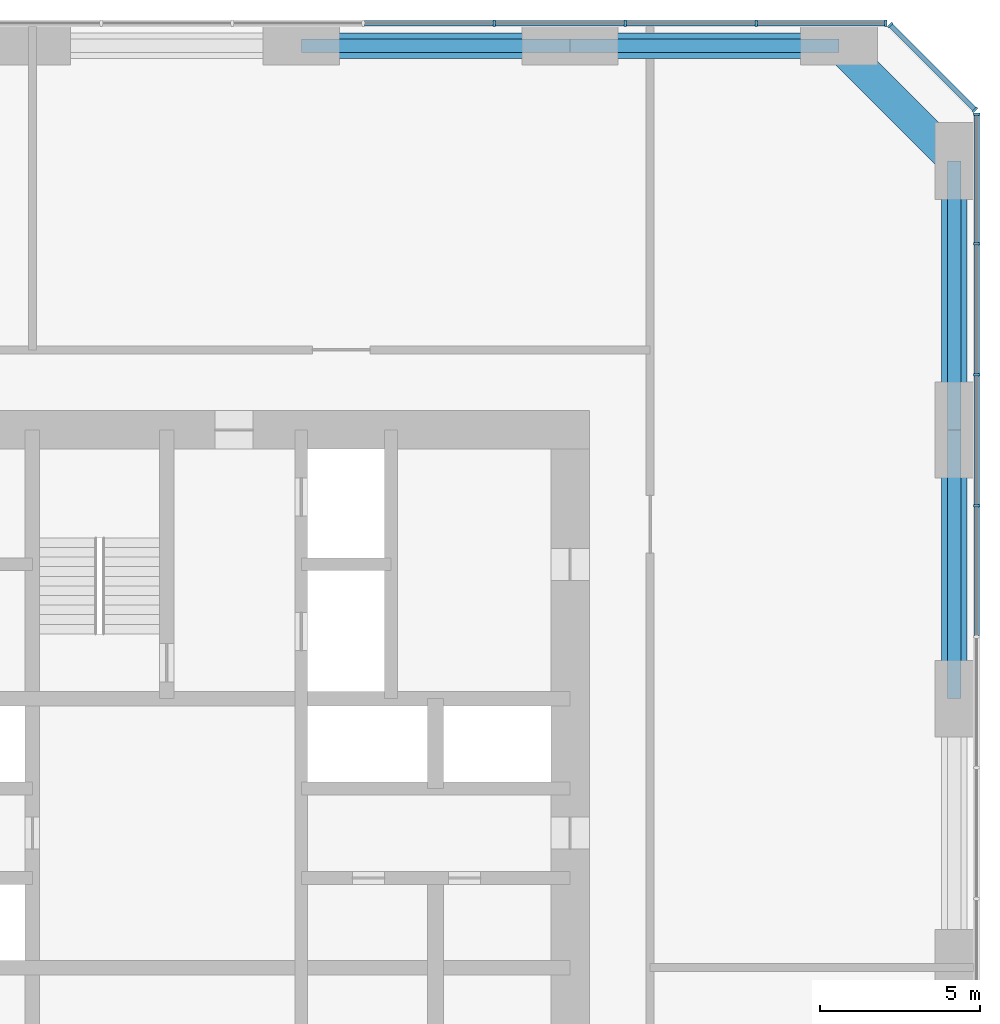
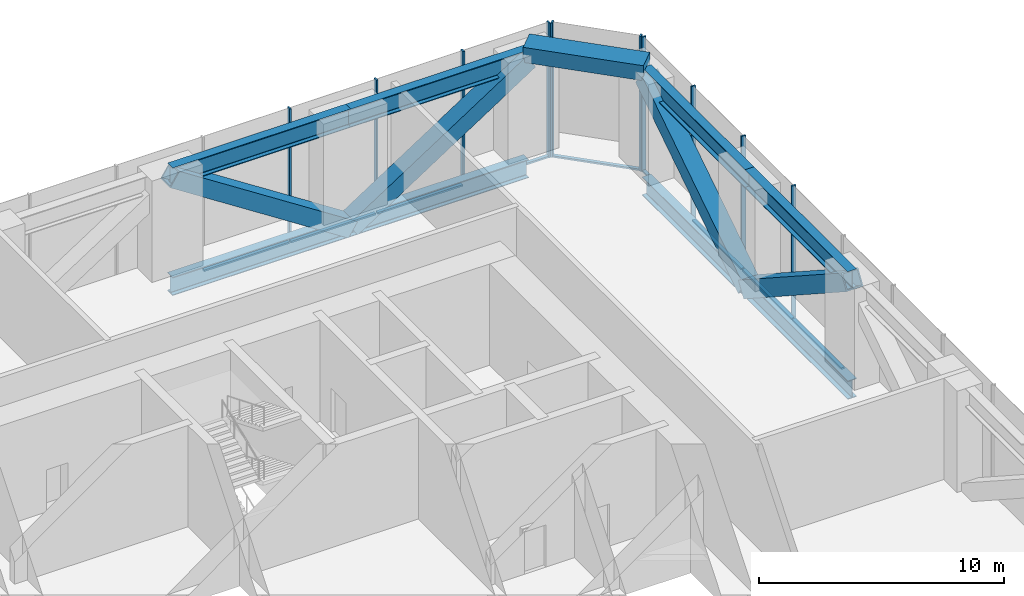
# One storey, part 6 of 10: 31 members, 1 beam, 3 elements without a shape of their own.
"""IFC4 building model written with IfcOpenShell, lengths in metres."""

from ifc_helpers import new_model, si_unit, direction, frame, origin, origin_2d, place, context, subcontext, project, spatial, rectangle, hollow_rectangle, i_section, extrude, material, material_profile, profile_set, type_object, element, aggregate, save


model = new_model("IFC4")

# Units and contexts
model_context = context("Model", 3, precision=1e-05, world=origin(), true_north=direction((0.0, 1.0)))
body_context = subcontext(model_context, "Body", "Model", "MODEL_VIEW")
ifc_project = project(units=[si_unit("LENGTHUNIT", "METRE"), si_unit("AREAUNIT", "SQUARE_METRE"), si_unit("VOLUMEUNIT", "CUBIC_METRE"), si_unit("PLANEANGLEUNIT", "RADIAN"), si_unit("MASSUNIT", "GRAM", prefix="KILO")], contexts=[model_context])

# Site, building, storey
site_placement = place(None, origin())
site = spatial("IfcSite", under=ifc_project, at=site_placement, CompositionType="ELEMENT")
building_placement = place(site_placement, origin())
building = spatial("IfcBuilding", under=site, at=building_placement, Name="Dunama Terrace Hotel", CompositionType="ELEMENT")
storey_placement = place(building_placement, frame((0.0, 0.0, 220.199951171875)))
storey = spatial("IfcBuildingStorey", under=building, at=storey_placement, Name="L57", CompositionType="ELEMENT", Elevation=220.199951171875)

# Members
ifc_material_1 = material(Name="Steel S355", Category="steel")
ifc_material_profile_1 = material_profile(ifc_material_1, hollow_rectangle(XDim=0.800048828125, YDim=0.800048828125, WallThickness=0.06005859375, at=origin_2d()), Name="BOX 800x800x60")
ifc_profile_set_1 = profile_set([ifc_material_profile_1], Name="Steel S355")
member_type_1 = type_object("IfcMemberType", Name="Brace BOX 800x800x60", PredefinedType="BRACE", material=ifc_profile_set_1)
for number, where, z_axis, x_axis, name in (
    (1, (54.0, 42.0, -0.8603515625), (0.0, -0.83889900313, 0.544287114075), (1.0, 0.0, 0.0), "Belt truss diagonal L57"),
    (2, (54.0, 42.0, -0.8603515625), (0.0, 0.83889900313, 0.544287114075), (-1.0, 0.0, 0.0), "Belt truss diagonal L57"),
    (3, (42.0, 54.0, -0.8603515625), (-0.83889900313, 0.0, 0.544287114075), (0.0, -1.0, 0.0), "Belt truss diagonal L57"),
    (4, (42.0, 54.0, -0.8603515625), (0.83889900313, 0.0, 0.544287114075), (0.0, 1.0, 0.0), "Belt truss diagonal L57"),
):
    element("IfcMember", number, at=place(storey_placement, frame(where, z_axis=z_axis, x_axis=x_axis)), inside=storey, type_object=member_type_1, Name=name, PredefinedType="BRACE", context=body_context, shape_type="SweptSolid", body=[
        extrude(hollow_rectangle(XDim=0.800048828125, YDim=0.800048828125, WallThickness=0.06005859375, at=origin_2d()), origin(), (0.0, 0.0, 1.0), 10.012939453125),
    ])

# Curtain wall, members
ifc_material_2 = material(Name="Aluminium curtain wall system", Category="aluminium")
curtain_wall_type = type_object("IfcCurtainWallType", Name="Plant floor louvred glazing CW-G", PredefinedType="NOTDEFINED", material=ifc_material_2)
curtain_wall_1_placement = place(storey_placement, origin())
curtain_wall_1 = element("IfcCurtainWall", 5, at=curtain_wall_1_placement, inside=storey, type_object=curtain_wall_type, Name="Plant floor louvred glazing CW-G L57", PredefinedType="NOTDEFINED")
ifc_material_3 = material(Name="Aluminium mullion", Category="aluminium")
ifc_material_profile_2 = material_profile(ifc_material_3, rectangle(XDim=0.074951171875, YDim=0.199951171875, at=origin_2d()), Name="CWG MULLION 75X200")
ifc_profile_set_2 = profile_set([ifc_material_profile_2], Name="Aluminium mullion")
member_type_2 = type_object("IfcMemberType", Name="CWG mullion 75x200", PredefinedType="MULLION", material=ifc_profile_set_2)
member_1_placement = place(storey_placement, frame((54.699951171875, 39.626953125, -1.321044921875), z_axis=(0.0, 0.0, 1.0), x_axis=(0.0, 1.0, 0.0)))
member_1 = element("IfcMember", 6, at=member_1_placement, type_object=member_type_2, Name="CWG mullion", PredefinedType="MULLION", context=body_context, shape_type="SweptSolid", body=[
    extrude(rectangle(XDim=0.074951171875, YDim=0.199951171875, at=origin_2d()), origin(), (0.0, 0.0, 1.0), 6.72119140625),
])
member_2_placement = place(storey_placement, frame((54.699951171875, 43.718017578125, -1.321044921875), z_axis=(0.0, 0.0, 1.0), x_axis=(0.0, 1.0, 0.0)))
member_2 = element("IfcMember", 7, at=member_2_placement, type_object=member_type_2, Name="CWG mullion", PredefinedType="MULLION", context=body_context, shape_type="SweptSolid", body=[
    extrude(rectangle(XDim=0.074951171875, YDim=0.199951171875, at=origin_2d()), origin(), (0.0, 0.0, 1.0), 6.72119140625),
])
member_3_placement = place(storey_placement, frame((54.699951171875, 47.80908203125, -1.321044921875), z_axis=(0.0, 0.0, 1.0), x_axis=(0.0, 1.0, 0.0)))
member_3 = element("IfcMember", 8, at=member_3_placement, type_object=member_type_2, Name="CWG mullion", PredefinedType="MULLION", context=body_context, shape_type="SweptSolid", body=[
    extrude(rectangle(XDim=0.074951171875, YDim=0.199951171875, at=origin_2d()), origin(), (0.0, 0.0, 1.0), 6.72119140625),
])
member_4_placement = place(storey_placement, frame((54.699951171875, 51.862060546875, -1.321044921875), z_axis=(0.0, 0.0, 1.0), x_axis=(0.0, 1.0, 0.0)))
member_4 = element("IfcMember", 9, at=member_4_placement, type_object=member_type_2, Name="CWG mullion", PredefinedType="MULLION", context=body_context, shape_type="SweptSolid", body=[
    extrude(rectangle(XDim=0.074951171875, YDim=0.199951171875, at=origin_2d()), origin(), (0.0, 0.0, 1.0), 6.72119140625),
])

curtain_wall_2_placement = place(storey_placement, origin())
curtain_wall_2 = element("IfcCurtainWall", 10, at=curtain_wall_2_placement, inside=storey, type_object=curtain_wall_type, Name="Plant floor louvred glazing CW-G L57", PredefinedType="NOTDEFINED")
member_5_placement = place(storey_placement, frame((54.64404296875, 51.9970703125, -1.321044921875), z_axis=(0.0, 0.0, 1.0), x_axis=(-0.707106781187, 0.707106781187, 0.0)))
member_5 = element("IfcMember", 11, at=member_5_placement, type_object=member_type_2, Name="CWG mullion", PredefinedType="MULLION", context=body_context, shape_type="SweptSolid", body=[
    extrude(rectangle(XDim=0.074951171875, YDim=0.199951171875, at=origin_2d()), origin(), (0.0, 0.0, 1.0), 6.72119140625),
])
member_6_placement = place(storey_placement, frame((51.9970703125, 54.64404296875, -1.321044921875), z_axis=(0.0, 0.0, 1.0), x_axis=(-0.707106781187, 0.707106781187, 0.0)))
member_6 = element("IfcMember", 12, at=member_6_placement, type_object=member_type_2, Name="CWG mullion", PredefinedType="MULLION", context=body_context, shape_type="SweptSolid", body=[
    extrude(rectangle(XDim=0.074951171875, YDim=0.199951171875, at=origin_2d()), origin(), (0.0, 0.0, 1.0), 6.72119140625),
])

curtain_wall_3_placement = place(storey_placement, origin())
curtain_wall_3 = element("IfcCurtainWall", 13, at=curtain_wall_3_placement, inside=storey, type_object=curtain_wall_type, Name="Plant floor louvred glazing CW-G L57", PredefinedType="NOTDEFINED")
member_7_placement = place(storey_placement, frame((51.862060546875, 54.699951171875, -1.321044921875), z_axis=(0.0, 0.0, 1.0), x_axis=(-1.0, 0.0, 0.0)))
member_7 = element("IfcMember", 14, at=member_7_placement, type_object=member_type_2, Name="CWG mullion", PredefinedType="MULLION", context=body_context, shape_type="SweptSolid", body=[
    extrude(rectangle(XDim=0.074951171875, YDim=0.199951171875, at=origin_2d()), origin(), (0.0, 0.0, 1.0), 6.72119140625),
])
member_8_placement = place(storey_placement, frame((47.80908203125, 54.699951171875, -1.321044921875), z_axis=(0.0, 0.0, 1.0), x_axis=(-1.0, 0.0, 0.0)))
member_8 = element("IfcMember", 15, at=member_8_placement, type_object=member_type_2, Name="CWG mullion", PredefinedType="MULLION", context=body_context, shape_type="SweptSolid", body=[
    extrude(rectangle(XDim=0.074951171875, YDim=0.199951171875, at=origin_2d()), origin(), (0.0, 0.0, 1.0), 6.72119140625),
])
member_9_placement = place(storey_placement, frame((43.718017578125, 54.699951171875, -1.321044921875), z_axis=(0.0, 0.0, 1.0), x_axis=(-1.0, 0.0, 0.0)))
member_9 = element("IfcMember", 16, at=member_9_placement, type_object=member_type_2, Name="CWG mullion", PredefinedType="MULLION", context=body_context, shape_type="SweptSolid", body=[
    extrude(rectangle(XDim=0.074951171875, YDim=0.199951171875, at=origin_2d()), origin(), (0.0, 0.0, 1.0), 6.72119140625),
])
member_10_placement = place(storey_placement, frame((39.626953125, 54.699951171875, -1.321044921875), z_axis=(0.0, 0.0, 1.0), x_axis=(-1.0, 0.0, 0.0)))
member_10 = element("IfcMember", 17, at=member_10_placement, type_object=member_type_2, Name="CWG mullion", PredefinedType="MULLION", context=body_context, shape_type="SweptSolid", body=[
    extrude(rectangle(XDim=0.074951171875, YDim=0.199951171875, at=origin_2d()), origin(), (0.0, 0.0, 1.0), 6.72119140625),
])

# Member
ifc_material_4 = material(Name="Aluminium transom", Category="aluminium")
ifc_material_profile_3 = material_profile(ifc_material_4, rectangle(XDim=0.159912109375, YDim=0.0849609375, at=origin_2d()), Name="CWG TRANSOM 160X85")
ifc_profile_set_3 = profile_set([ifc_material_profile_3], Name="Aluminium transom")
member_type_3 = type_object("IfcMemberType", Name="CWG transom 160x85", PredefinedType="USERDEFINED", material=ifc_profile_set_3)
member_11_placement = place(storey_placement, frame((54.699951171875, 35.573974609375, -1.278564453125), z_axis=(0.0, 1.0, 0.0), x_axis=(-1.0, 0.0, 0.0)))
member_11 = element("IfcMember", 18, at=member_11_placement, type_object=member_type_3, Name="CWG transom", ObjectType="TRANSOM", PredefinedType="USERDEFINED", context=body_context, shape_type="SweptSolid", body=[
    extrude(rectangle(XDim=0.159912109375, YDim=0.0849609375, at=origin_2d()), origin(), (0.0, 0.0, 1.0), 4.01611328125),
])

member_12_placement = place(storey_placement, frame((54.699951171875, 39.6650390625, -1.278564453125), z_axis=(0.0, 1.0, 0.0), x_axis=(-1.0, 0.0, 0.0)))
member_12 = element("IfcMember", 19, at=member_12_placement, type_object=member_type_3, Name="CWG transom", ObjectType="TRANSOM", PredefinedType="USERDEFINED", context=body_context, shape_type="SweptSolid", body=[
    extrude(rectangle(XDim=0.159912109375, YDim=0.0849609375, at=origin_2d()), origin(), (0.0, 0.0, 1.0), 4.015869140625),
])

member_13_placement = place(storey_placement, frame((54.699951171875, 43.756103515625, -1.278564453125), z_axis=(0.0, 1.0, 0.0), x_axis=(-1.0, 0.0, 0.0)))
member_13 = element("IfcMember", 20, at=member_13_placement, type_object=member_type_3, Name="CWG transom", ObjectType="TRANSOM", PredefinedType="USERDEFINED", context=body_context, shape_type="SweptSolid", body=[
    extrude(rectangle(XDim=0.159912109375, YDim=0.0849609375, at=origin_2d()), origin(), (0.0, 0.0, 1.0), 4.015869140625),
])

member_14_placement = place(storey_placement, frame((54.699951171875, 47.846923828125, -1.278564453125), z_axis=(0.0, 1.0, 0.0), x_axis=(-1.0, 0.0, 0.0)))
member_14 = element("IfcMember", 21, at=member_14_placement, type_object=member_type_3, Name="CWG transom", ObjectType="TRANSOM", PredefinedType="USERDEFINED", context=body_context, shape_type="SweptSolid", body=[
    extrude(rectangle(XDim=0.159912109375, YDim=0.0849609375, at=origin_2d()), origin(), (0.0, 0.0, 1.0), 3.97802734375),
])

aggregate(curtain_wall_1, [member_1, member_2, member_3, member_4, member_11, member_12, member_13, member_14])

member_15_placement = place(storey_placement, frame((54.617919921875, 52.02392578125, -1.278564453125), z_axis=(-0.707106781187, 0.707106781187, 0.0), x_axis=(-0.707106781187, -0.707106781187, 0.0)))
member_15 = element("IfcMember", 22, at=member_15_placement, type_object=member_type_3, Name="CWG transom", ObjectType="TRANSOM", PredefinedType="USERDEFINED", context=body_context, shape_type="SweptSolid", body=[
    extrude(rectangle(XDim=0.159912109375, YDim=0.0849609375, at=origin_2d()), origin(), (0.0, 0.0, 1.0), 3.66845703125),
])

aggregate(curtain_wall_2, [member_5, member_6, member_15])

member_16_placement = place(storey_placement, frame((51.824951171875, 54.699951171875, -1.278564453125), z_axis=(-1.0, 0.0, 0.0), x_axis=(0.0, -1.0, 0.0)))
member_16 = element("IfcMember", 23, at=member_16_placement, type_object=member_type_3, Name="CWG transom", ObjectType="TRANSOM", PredefinedType="USERDEFINED", context=body_context, shape_type="SweptSolid", body=[
    extrude(rectangle(XDim=0.159912109375, YDim=0.0849609375, at=origin_2d()), origin(), (0.0, 0.0, 1.0), 3.97802734375),
])

member_17_placement = place(storey_placement, frame((47.77197265625, 54.699951171875, -1.278564453125), z_axis=(-1.0, 0.0, 0.0), x_axis=(0.0, -1.0, 0.0)))
member_17 = element("IfcMember", 24, at=member_17_placement, type_object=member_type_3, Name="CWG transom", ObjectType="TRANSOM", PredefinedType="USERDEFINED", context=body_context, shape_type="SweptSolid", body=[
    extrude(rectangle(XDim=0.159912109375, YDim=0.0849609375, at=origin_2d()), origin(), (0.0, 0.0, 1.0), 4.015869140625),
])

member_18_placement = place(storey_placement, frame((43.680908203125, 54.699951171875, -1.278564453125), z_axis=(-1.0, 0.0, 0.0), x_axis=(0.0, -1.0, 0.0)))
member_18 = element("IfcMember", 25, at=member_18_placement, type_object=member_type_3, Name="CWG transom", ObjectType="TRANSOM", PredefinedType="USERDEFINED", context=body_context, shape_type="SweptSolid", body=[
    extrude(rectangle(XDim=0.159912109375, YDim=0.0849609375, at=origin_2d()), origin(), (0.0, 0.0, 1.0), 4.015869140625),
])

member_19_placement = place(storey_placement, frame((39.590087890625, 54.699951171875, -1.278564453125), z_axis=(-1.0, 0.0, 0.0), x_axis=(0.0, -1.0, 0.0)))
member_19 = element("IfcMember", 26, at=member_19_placement, type_object=member_type_3, Name="CWG transom", ObjectType="TRANSOM", PredefinedType="USERDEFINED", context=body_context, shape_type="SweptSolid", body=[
    extrude(rectangle(XDim=0.159912109375, YDim=0.0849609375, at=origin_2d()), origin(), (0.0, 0.0, 1.0), 4.01611328125),
])

aggregate(curtain_wall_3, [member_7, member_8, member_9, member_10, member_16, member_17, member_18, member_19])

# Beam
ifc_material_5 = material(Name="Concrete C50/60", Category="concrete")
ifc_material_profile_4 = material_profile(ifc_material_5, rectangle(XDim=1.0, YDim=0.75, at=origin_2d()), Name="RC 1000x750")
ifc_profile_set_4 = profile_set([ifc_material_profile_4], Name="Concrete C50/60")
beam_type = type_object("IfcBeamType", Name="Edge beam RC 1000x750", PredefinedType="SPANDREL", material=ifc_profile_set_4)
beam_placement = place(storey_placement, frame((50.39990234375, 54.0, 5.025146484375), z_axis=(0.707106781187, -0.707106781187, 0.0), x_axis=(0.707106781187, 0.707106781187, 0.0)))
element("IfcBeam", 27, at=beam_placement, inside=storey, type_object=beam_type, Name="Corner edge beam under L58", PredefinedType="SPANDREL", context=body_context, shape_type="SweptSolid", body=[
    extrude(rectangle(XDim=1.0, YDim=0.75, at=origin_2d()), origin(), (0.0, 0.0, 1.0), 5.09130859375),
])

# Members
ifc_material_6 = material(Name="Steel S355", Category="steel")
ifc_material_profile_5 = material_profile(ifc_material_6, i_section(OverallWidth=0.42041015625, OverallDepth=0.9208984375, WebThickness=0.021484375, FlangeThickness=0.03662109375, FilletRadius=0.024169921875, at=origin_2d()), Name="UB 914x419x388")
ifc_profile_set_5 = profile_set([ifc_material_profile_5], Name="Steel S355")
member_type_4 = type_object("IfcMemberType", Name="Truss member UB 914x419x388", PredefinedType="CHORD", material=ifc_profile_set_5)
for number, where, z_axis, x_axis, name in (
    (28, (54.0, 33.60009765625, 4.589599609375), (0.0, 1.0, 0.0), (-1.0, 0.0, 0.0), "Belt truss top chord L57"),
    (29, (54.0, 33.60009765625, -0.8603515625), (0.0, 1.0, 0.0), (-1.0, 0.0, 0.0), "Belt truss bottom chord L57"),
    (30, (54.0, 42.0, 4.589599609375), (0.0, 1.0, 0.0), (-1.0, 0.0, 0.0), "Belt truss top chord L57"),
    (31, (54.0, 42.0, -0.8603515625), (0.0, 1.0, 0.0), (-1.0, 0.0, 0.0), "Belt truss bottom chord L57"),
    (32, (33.60009765625, 54.0, 4.589599609375), (1.0, 0.0, 0.0), (0.0, 1.0, 0.0), "Belt truss top chord L57"),
    (33, (33.60009765625, 54.0, -0.8603515625), (1.0, 0.0, 0.0), (0.0, 1.0, 0.0), "Belt truss bottom chord L57"),
    (34, (42.0, 54.0, 4.589599609375), (1.0, 0.0, 0.0), (0.0, 1.0, 0.0), "Belt truss top chord L57"),
    (35, (42.0, 54.0, -0.8603515625), (1.0, 0.0, 0.0), (0.0, 1.0, 0.0), "Belt truss bottom chord L57"),
):
    element("IfcMember", number, at=place(storey_placement, frame(where, z_axis=z_axis, x_axis=x_axis)), inside=storey, type_object=member_type_4, Name=name, PredefinedType="CHORD", context=body_context, shape_type="SweptSolid", body=[
        extrude(i_section(OverallWidth=0.42041015625, OverallDepth=0.9208984375, WebThickness=0.021484375, FlangeThickness=0.03662109375, FilletRadius=0.024169921875, at=origin_2d()), origin(), (0.0, 0.0, 1.0), 8.39990234375),
    ])

save(model, "model.ifc")
